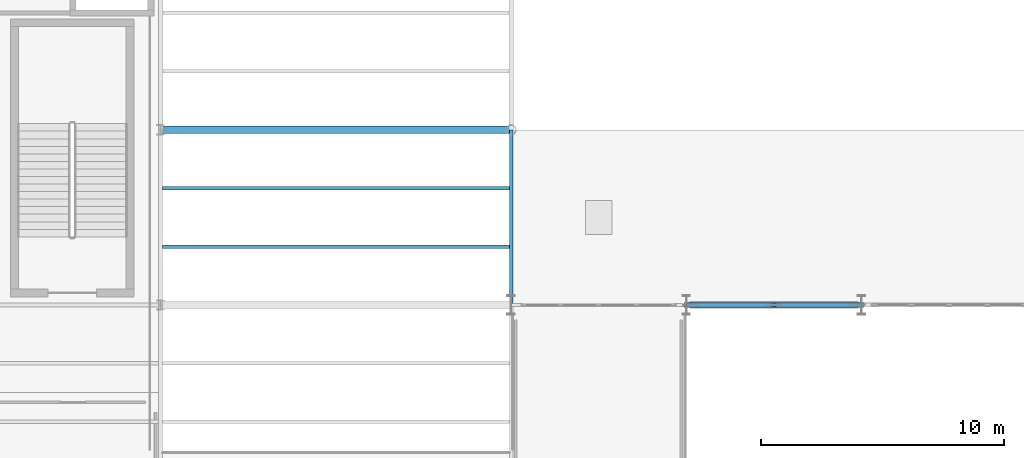
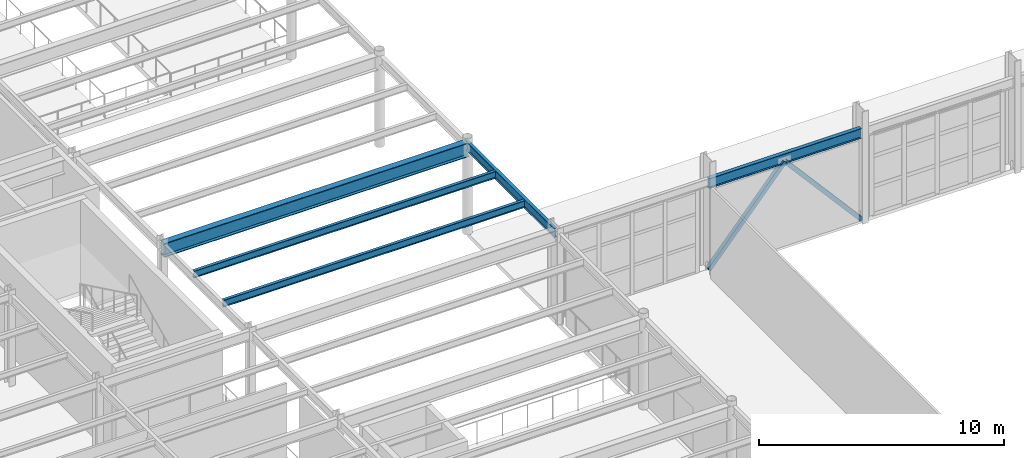
# One storey, part 52 of 126: 5 beams, 2 members.
"""IFC4 building model written with IfcOpenShell, lengths in metres."""

from ifc_helpers import new_model, si_unit, direction, frame, origin, origin_2d, place, context, subcontext, project, spatial, hollow_rectangle, i_section, extrude, material, material_profile, profile_set, type_object, element, save


model = new_model("IFC4")

# Units and contexts
model_context = context("Model", 3, precision=1e-05, world=origin(), true_north=direction((0.0, 1.0)))
body_context = subcontext(model_context, "Body", "Model", "MODEL_VIEW")
ifc_project = project(units=[si_unit("LENGTHUNIT", "METRE"), si_unit("AREAUNIT", "SQUARE_METRE"), si_unit("VOLUMEUNIT", "CUBIC_METRE"), si_unit("PLANEANGLEUNIT", "RADIAN"), si_unit("MASSUNIT", "GRAM", prefix="KILO")], contexts=[model_context])

# Site, building, storey
site_placement = place(None, origin())
site = spatial("IfcSite", under=ifc_project, at=site_placement, CompositionType="ELEMENT")
building_placement = place(site_placement, origin())
building = spatial("IfcBuilding", under=site, at=building_placement, Name="Solvadek Multi-Sports Hall", CompositionType="ELEMENT")
storey_placement = place(building_placement, frame((0.0, 0.0, 9.60009765625)))
storey = spatial("IfcBuildingStorey", under=building, at=storey_placement, Name="L02", CompositionType="ELEMENT", Elevation=9.60009765625)

# Beams
ifc_material = material(Name="Steel E350 (350 MPa)", Category="steel")
ifc_material_profile_1 = material_profile(ifc_material, i_section(OverallWidth=0.14990234375, OverallDepth=0.449951171875, WebThickness=0.009521484375, FlangeThickness=0.017333984375, at=origin_2d()), Name="ISMB 450")
ifc_profile_set_1 = profile_set([ifc_material_profile_1], Name="Steel E350 (350 MPa)")
beam_type_1 = type_object("IfcBeamType", Name="STR-BM-ISMB450", PredefinedType="BEAM", material=ifc_profile_set_1)
beam_1_placement = place(storey_placement, frame((86.39990234375, 42.0, 4.3349609375), z_axis=(0.0, 1.0, 0.0), x_axis=(-1.0, 0.0, 0.0)))
element("IfcBeam", 1, at=beam_1_placement, inside=storey, type_object=beam_type_1, Name="L02 Girder B-09 #1581", PredefinedType="BEAM", context=body_context, shape_type="SweptSolid", body=[
    extrude(i_section(OverallWidth=0.14990234375, OverallDepth=0.449951171875, WebThickness=0.009521484375, FlangeThickness=0.017333984375, at=origin_2d()), origin(), (0.0, 0.0, 1.0), 7.199951171875),
])
ifc_material_profile_2 = material_profile(ifc_material, i_section(OverallWidth=0.179931640625, OverallDepth=0.5, WebThickness=0.01025390625, FlangeThickness=0.01708984375, at=origin_2d()), Name="ISMB 500")
ifc_profile_set_2 = profile_set([ifc_material_profile_2], Name="Steel E350 (350 MPa)")
beam_type_2 = type_object("IfcBeamType", Name="STR-BM-ISMB500", PredefinedType="BEAM", material=ifc_profile_set_2)
beam_2_placement = place(storey_placement, frame((93.60009765625, 42.0, 4.309814453125), z_axis=(1.0, 0.0, 0.0), x_axis=(0.0, 1.0, 0.0)))
element("IfcBeam", 2, at=beam_2_placement, inside=storey, type_object=beam_type_2, Name="L02 Girder B-07 #1355", PredefinedType="BEAM", context=body_context, shape_type="SweptSolid", body=[
    extrude(i_section(OverallWidth=0.179931640625, OverallDepth=0.5, WebThickness=0.01025390625, FlangeThickness=0.01708984375, at=origin_2d()), origin(), (0.0, 0.0, 1.0), 7.199951171875),
])
ifc_material_profile_3 = material_profile(ifc_material, i_section(OverallWidth=0.300048828125, OverallDepth=0.699951171875, WebThickness=0.01708984375, FlangeThickness=0.031982421875, at=origin_2d()), Name="WPB 700")
ifc_profile_set_3 = profile_set([ifc_material_profile_3], Name="Steel E350 (350 MPa)")
beam_type_3 = type_object("IfcBeamType", Name="STR-BM-WPB700", PredefinedType="BEAM", material=ifc_profile_set_3)
beam_3_placement = place(storey_placement, frame((72.0, 49.199951171875, 4.2099609375), z_axis=(1.0, 0.0, 0.0), x_axis=(0.0, 1.0, 0.0)))
element("IfcBeam", 3, at=beam_3_placement, inside=storey, type_object=beam_type_3, Name="L02 Girder B-01 #1374", PredefinedType="BEAM", context=body_context, shape_type="SweptSolid", body=[
    extrude(i_section(OverallWidth=0.300048828125, OverallDepth=0.699951171875, WebThickness=0.01708984375, FlangeThickness=0.031982421875, at=origin_2d()), origin(), (0.0, 0.0, 1.0), 14.39990234375),
])

# Members
ifc_material_profile_4 = material_profile(ifc_material, hollow_rectangle(XDim=0.199951171875, YDim=0.199951171875, WallThickness=0.010009765625, at=origin_2d()), Name="SHS 200x200x10")
ifc_profile_set_4 = profile_set([ifc_material_profile_4], Name="Steel E350 (350 MPa)")
member_type = type_object("IfcMemberType", Name="STR-BRC-SHS200", PredefinedType="BRACE", material=ifc_profile_set_4)
member_1_placement = place(storey_placement, frame((93.60009765625, 42.0, 0.0), z_axis=(0.655270541038, 0.0, 0.755394279862), x_axis=(0.0, 1.0, 0.0)))
element("IfcMember", 4, at=member_1_placement, inside=storey, type_object=member_type, Name="L02 Concentric Chevron Brace #39", PredefinedType="BRACE", context=body_context, shape_type="SweptSolid", body=[
    extrude(hollow_rectangle(XDim=0.199951171875, YDim=0.199951171875, WallThickness=0.010009765625, at=origin_2d()), origin(), (0.0, 0.0, 1.0), 5.49365234375),
])
member_2_placement = place(storey_placement, frame((100.800048828125, 42.0, 0.0), z_axis=(-0.655295898412, 0.0, 0.755372282735), x_axis=(0.0, -1.0, 0.0)))
element("IfcMember", 5, at=member_2_placement, inside=storey, type_object=member_type, Name="L02 Concentric Chevron Brace #40", PredefinedType="BRACE", context=body_context, shape_type="SweptSolid", body=[
    extrude(hollow_rectangle(XDim=0.199951171875, YDim=0.199951171875, WallThickness=0.010009765625, at=origin_2d()), origin(), (0.0, 0.0, 1.0), 5.493896484375),
])

# Beams
ifc_material_profile_5 = material_profile(ifc_material, i_section(OverallWidth=0.139892578125, OverallDepth=0.35009765625, WebThickness=0.008056640625, FlangeThickness=0.01416015625, at=origin_2d()), Name="ISMB 350")
ifc_profile_set_5 = profile_set([ifc_material_profile_5], Name="Steel E350 (350 MPa)")
beam_type_4 = type_object("IfcBeamType", Name="STR-JST-ISMB350", PredefinedType="JOIST", material=ifc_profile_set_5)
for number, where, z_axis, x_axis, name in (
    (6, (72.074951171875, 44.39990234375, 4.385009765625), (1.0, 0.0, 0.0), (0.0, 1.0, 0.0), "L02 Composite Joist J-01 #813"),
    (7, (72.074951171875, 46.800048828125, 4.385009765625), (1.0, 0.0, 0.0), (0.0, 1.0, 0.0), "L02 Composite Joist J-01 #814"),
):
    element("IfcBeam", number, at=place(storey_placement, frame(where, z_axis=z_axis, x_axis=x_axis)), inside=storey, type_object=beam_type_4, Name=name, PredefinedType="JOIST", context=body_context, shape_type="SweptSolid", body=[
        extrude(i_section(OverallWidth=0.139892578125, OverallDepth=0.35009765625, WebThickness=0.008056640625, FlangeThickness=0.01416015625, at=origin_2d()), origin(), (0.0, 0.0, 1.0), 14.25),
    ])

save(model, "model.ifc")
